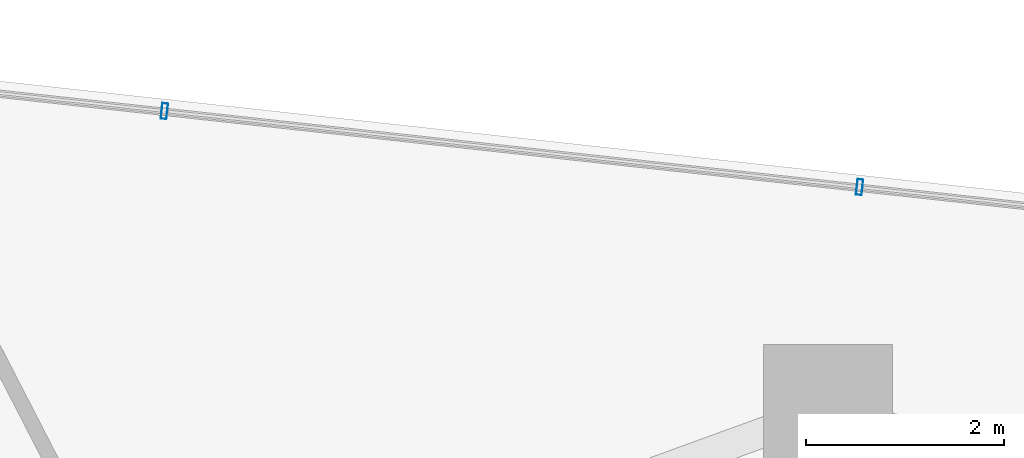
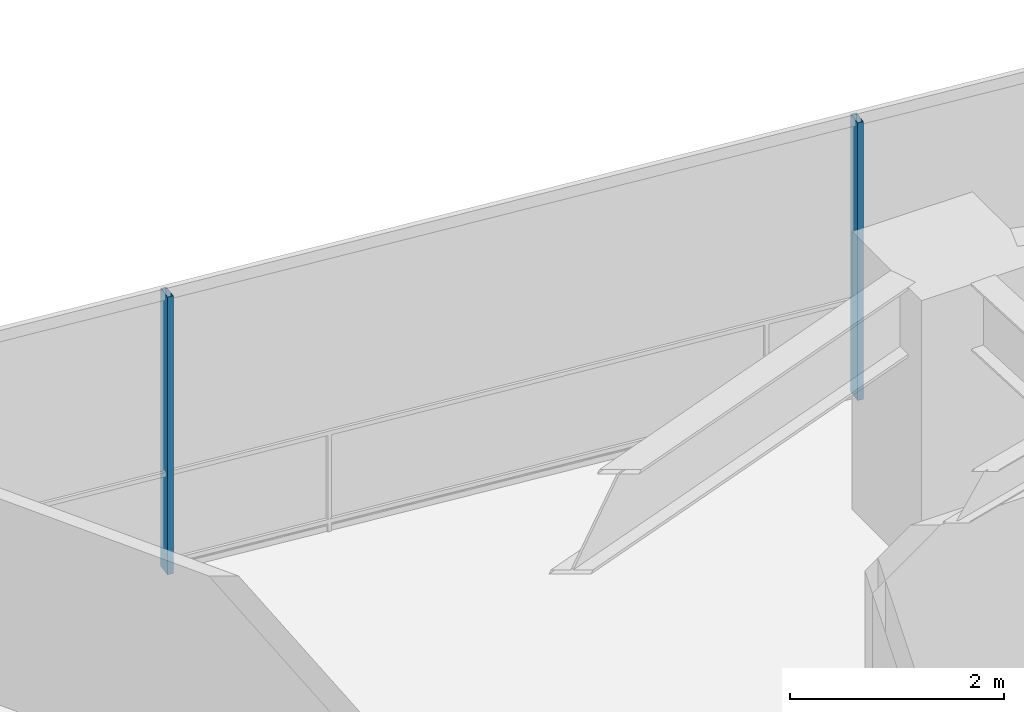
# One storey, part 18 of 28: 2 members, 1 element without a shape of its own.
"""IFC4 building model written with IfcOpenShell, lengths in metres."""

from ifc_helpers import new_model, si_unit, direction, frame, origin, origin_2d, place, context, subcontext, project, spatial, hollow_rectangle, extrude, material, layer, layer_set, material_profile, profile_set, type_object, element, aggregate, save


model = new_model("IFC4")

# Units and contexts
model_context = context("Model", 3, precision=1e-05, world=origin(), true_north=direction((0.0, 1.0)))
body_context = subcontext(model_context, "Body", "Model", "MODEL_VIEW")
ifc_project = project(units=[si_unit("LENGTHUNIT", "METRE"), si_unit("AREAUNIT", "SQUARE_METRE"), si_unit("VOLUMEUNIT", "CUBIC_METRE"), si_unit("PLANEANGLEUNIT", "RADIAN"), si_unit("MASSUNIT", "GRAM", prefix="KILO")], contexts=[model_context])

# Site, building, storey
site_placement = place(None, origin())
site = spatial("IfcSite", under=ifc_project, at=site_placement, CompositionType="ELEMENT")
building_placement = place(site_placement, origin())
building = spatial("IfcBuilding", under=site, at=building_placement, Name="Qarnah Convention Tower", CompositionType="ELEMENT")
storey_placement = place(building_placement, frame((0.0, 0.0, 44.25)))
storey = spatial("IfcBuildingStorey", under=building, at=storey_placement, Name="L10", CompositionType="ELEMENT", Elevation=44.25)

# Curtain wall, members
ifc_material_1 = material(Name="Tempered Low-E dark glass", Category="glass")
ifc_layer = layer(ifc_material_1, 0.16796875)
ifc_layer_set = layer_set([ifc_layer], Name="Tempered Low-E dark glass")
curtain_wall_type = type_object("IfcCurtainWallType", Name="CWS-01", PredefinedType="NOTDEFINED", material=ifc_layer_set)
curtain_wall_placement = place(storey_placement, origin())
curtain_wall = element("IfcCurtainWall", 1, at=curtain_wall_placement, inside=storey, type_object=curtain_wall_type, Name="L10 unitised curtain wall CW-L10-F2", PredefinedType="NOTDEFINED")
ifc_material_2 = material(Name="Black anodised aluminium", Category="aluminium")
ifc_material_profile = material_profile(ifc_material_2, hollow_rectangle(XDim=0.06005859375, YDim=0.159912109375, WallThickness=0.00390625, at=origin_2d()), Name="MUL-60X160")
ifc_profile_set = profile_set([ifc_material_profile], Name="Black anodised aluminium")
member_type = type_object("IfcMemberType", Name="MUL-T1", PredefinedType="MULLION", material=ifc_profile_set)
member_1_placement = place(storey_placement, frame((29.933837890625, 45.93994140625, 0.0), z_axis=(0.0, 0.0, 1.0), x_axis=(0.994075669195, -0.108690219954, 0.0)))
member_1 = element("IfcMember", 2, at=member_1_placement, type_object=member_type, Name="CW-L10-F2 mullion 2", PredefinedType="MULLION", context=body_context, shape_type="SweptSolid", body=[
    extrude(hollow_rectangle(XDim=0.06005859375, YDim=0.159912109375, WallThickness=0.00390625, at=origin_2d()), origin(), (0.0, 0.0, 1.0), 3.169921875),
])
member_2_placement = place(storey_placement, frame((36.939697265625, 45.174072265625, 0.0), z_axis=(0.0, 0.0, 1.0), x_axis=(0.994075669195, -0.108690219954, 0.0)))
member_2 = element("IfcMember", 3, at=member_2_placement, type_object=member_type, Name="CW-L10-F2 mullion 3", PredefinedType="MULLION", context=body_context, shape_type="SweptSolid", body=[
    extrude(hollow_rectangle(XDim=0.06005859375, YDim=0.159912109375, WallThickness=0.00390625, at=origin_2d()), origin(), (0.0, 0.0, 1.0), 3.169921875),
])
aggregate(curtain_wall, [member_1, member_2])

save(model, "model.ifc")
